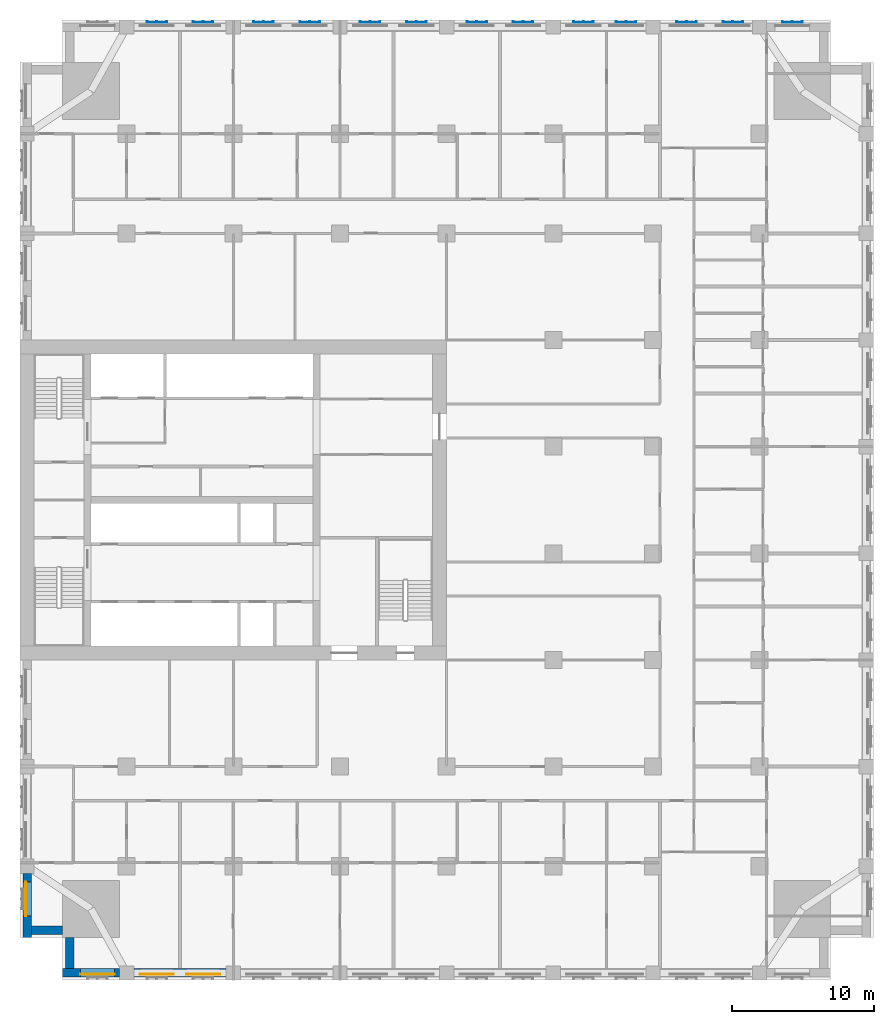
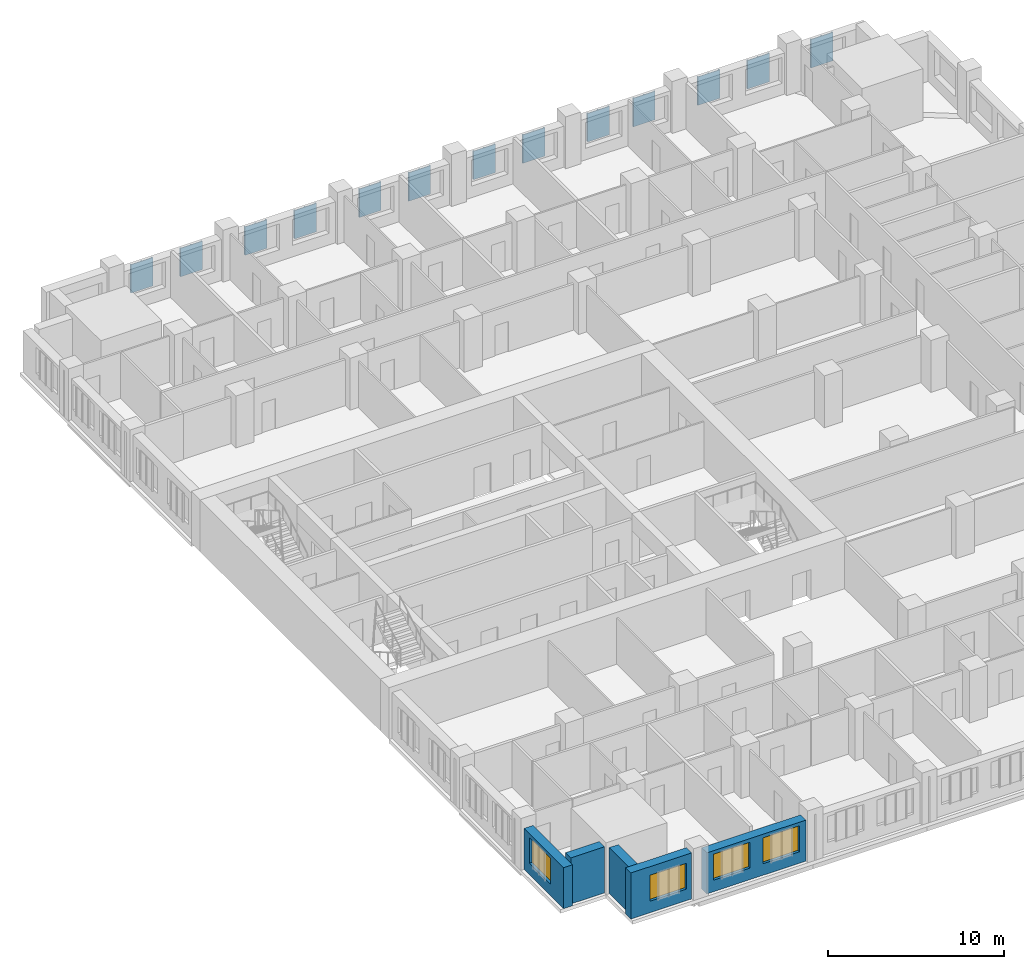
# One storey, part 3 of 14: 13 plates, 5 walls, 4 windows, 4 openings.
"""IFC4 building model written with IfcOpenShell, lengths in metres."""

import ifcopenshell
import ifcopenshell.guid

model = None  # the IFC model being written
_history = None  # IfcOwnerHistory: only IFC2X3 demands one
_inside = {}  # id of a spatial element -> (the spatial element, [elements in it])
_under = {}  # id of a project, library or spatial element -> (it, [spatial elements below it])
_declared = {}  # id of a project -> (the project, [libraries it declares])
_typed = {}  # id of a type object -> (the type object, [elements of that type])
_made_of = {}  # id of a material, layer set ... -> (it, [elements and type objects made of it])


def new_model(schema):
    """Start an empty IFC model of exactly this schema.

    Asked for "IFC4X3", IfcOpenShell would pick the latest addendum, in which some entities
    have other attributes; the version numbers below select the first issue.
    IFC2X3 requires an IfcOwnerHistory on every rooted entity: one is made here for all.
    """
    global model, _history
    if schema == "IFC4X3":
        model = ifcopenshell.file(schema_version=(4, 3, 0, 0))
    else:
        model = ifcopenshell.file(schema=schema)
    _inside.clear()
    _under.clear()
    _declared.clear()
    _typed.clear()
    _made_of.clear()
    _history = None
    if model.schema == "IFC2X3":
        org = make("IfcOrganization", Name="unknown")
        user = make(
            "IfcPersonAndOrganization",
            ThePerson=make("IfcPerson", FamilyName="unknown"),
            TheOrganization=org,
        )
        app = make(
            "IfcApplication",
            ApplicationDeveloper=org,
            Version="unknown",
            ApplicationFullName="unknown",
            ApplicationIdentifier="unknown",
        )
        _history = make(
            "IfcOwnerHistory",
            OwningUser=user,
            OwningApplication=app,
            ChangeAction="ADDED",
            CreationDate=0,
        )
    return model


def make(cls, **values):
    """One entity of the class cls with the attributes given. An attribute that is None is left unset."""
    return model.create_entity(
        cls, **{name: value for name, value in values.items() if value is not None}
    )


def rooted(cls, **values):
    """An entity with a GlobalId (a new one), such as an element, a storey or a relation."""
    return make(cls, GlobalId=ifcopenshell.guid.new(), OwnerHistory=_history, **values)


def si_unit(unit_type, name, prefix=None):
    """IfcSIUnit, for example si_unit("LENGTHUNIT", "METRE", prefix="MILLI")."""
    return make("IfcSIUnit", UnitType=unit_type, Prefix=prefix, Name=name)


def assignment(units):
    """IfcUnitAssignment: the units of a project."""
    return None if units is None else make("IfcUnitAssignment", Units=units)


def point(xyz):
    """IfcCartesianPoint."""
    return None if xyz is None else make("IfcCartesianPoint", Coordinates=xyz)


def direction(xyz):
    """IfcDirection."""
    return None if xyz is None else make("IfcDirection", DirectionRatios=xyz)


def frame(location, z_axis=None, x_axis=None):
    """IfcAxis2Placement3D, a coordinate frame: its origin and axes. An axis left out is left unset."""
    return make(
        "IfcAxis2Placement3D",
        Location=point(location),
        Axis=direction(z_axis),
        RefDirection=direction(x_axis),
    )


def frame_2d(location, x_axis=None):
    """IfcAxis2Placement2D, a coordinate frame in the plane: its origin and x axis."""
    return make(
        "IfcAxis2Placement2D", Location=point(location), RefDirection=direction(x_axis)
    )


def origin():
    """The frame at (0, 0, 0) with its axes left unset."""
    return frame((0.0, 0.0, 0.0))


def place(relative_to, where):
    """IfcLocalPlacement: puts the frame where relative to a parent placement (None: the world)."""
    return make(
        "IfcLocalPlacement", PlacementRelTo=relative_to, RelativePlacement=where
    )


def context(
    kind, dimensions, precision=None, world=None, true_north=None, identifier=None
):
    """IfcGeometricRepresentationContext, for example the 3D "Model" context."""
    return make(
        "IfcGeometricRepresentationContext",
        ContextIdentifier=identifier,
        ContextType=kind,
        CoordinateSpaceDimension=dimensions,
        Precision=precision,
        WorldCoordinateSystem=world,
        TrueNorth=true_north,
    )


def subcontext(parent, identifier, kind, view, scale=None):
    """IfcGeometricRepresentationSubContext, for example "Body" below "Model"."""
    return make(
        "IfcGeometricRepresentationSubContext",
        ContextIdentifier=identifier,
        ContextType=kind,
        ParentContext=parent,
        TargetScale=scale,
        TargetView=view,
    )


def project(units=None, contexts=None):
    """IfcProject with its units and contexts."""
    return rooted(
        "IfcProject",
        Name="project",
        RepresentationContexts=contexts,
        UnitsInContext=assignment(units),
    )


def spatial(cls, under=None, at=None, **own):
    """A site, building, storey or space (cls), placed at a placement, below another one or the project."""
    s = rooted(cls, ObjectPlacement=at, **own)
    if under is not None:
        _under.setdefault(under.id(), (under, []))[1].append(s)
    return s


def polyline(points):
    """IfcPolyline through the points."""
    return make("IfcPolyline", Points=[point(p) for p in points])


def profile(cls, at=None, kind="AREA", **sizes):
    """A parametric profile (cls). Its sizes go by their IFC names, for example OverallWidth=200.0."""
    return make(cls, ProfileType=kind, Position=at, **sizes)


def rectangle(**sizes):
    """IfcRectangleProfileDef."""
    return profile("IfcRectangleProfileDef", **sizes)


def outline(outer, holes=None, kind="AREA"):
    """IfcArbitraryClosedProfileDef: a profile drawn as a closed curve; with holes, ...WithVoids."""
    if holes is None:
        return make("IfcArbitraryClosedProfileDef", ProfileType=kind, OuterCurve=outer)
    return make(
        "IfcArbitraryProfileDefWithVoids",
        ProfileType=kind,
        OuterCurve=outer,
        InnerCurves=holes,
    )


def extrude(swept, where, along, depth):
    """IfcExtrudedAreaSolid: the profile swept, set in the frame where, extruded along a direction by depth."""
    return make(
        "IfcExtrudedAreaSolid",
        SweptArea=swept,
        Position=where,
        ExtrudedDirection=direction(along),
        Depth=depth,
    )


def shape(context_of_items, identifier, shape_type, items):
    """IfcShapeRepresentation: the items that make up one representation, for example the "Body"."""
    return make(
        "IfcShapeRepresentation",
        ContextOfItems=context_of_items,
        RepresentationIdentifier=identifier,
        RepresentationType=shape_type,
        Items=items,
    )


def material(Name=None, Category=None):
    """IfcMaterial."""
    return make("IfcMaterial", Name=Name, Category=Category)


def layer(
    of_material, thickness, ventilated=None, Name=None, Category=None, Priority=None
):
    """IfcMaterialLayer: one layer of a wall or slab, of a material (None: an air gap)."""
    return make(
        "IfcMaterialLayer",
        Material=of_material,
        LayerThickness=thickness,
        IsVentilated=ventilated,
        Name=Name,
        Category=Category,
        Priority=Priority,
    )


def layer_set(layers, Name=None):
    """IfcMaterialLayerSet."""
    return make("IfcMaterialLayerSet", MaterialLayers=layers, LayerSetName=Name)


def made_of(thing, what):
    """Note that an element or type object is made of a material, layer set ...; save() writes the relation."""
    if what is not None:
        _made_of.setdefault(what.id(), (what, []))[1].append(thing)
    return thing


def type_object(cls, material=None, **own):
    """A type object (cls), such as IfcWallType, which elements share."""
    return made_of(rooted(cls, **own), material)


def element(
    cls,
    number,
    at=None,
    inside=None,
    cuts=None,
    type_object=None,
    material=None,
    context=None,
    identifier="Body",
    shape_type=None,
    held_by="IfcProductDefinitionShape",
    body=None,
    shapes=None,
    **own,
):
    """One element of the class cls, such as IfcWall. Its Tag is "e" and its number.

    at: its placement. inside: the storey or other place that contains it. cuts: it is an
    opening in that element (IfcRelVoidsElement). A single representation is given by context,
    identifier, shape_type and body (its items); several are given by shapes. held_by: the class
    of the entity that holds the representations. save() writes the other relations.
    """
    e = rooted(cls, Tag="e%d" % number, ObjectPlacement=at, **own)
    if body is not None:
        shapes = [shape(context, identifier, shape_type, body)]
    if shapes is not None:
        e.Representation = make(held_by, Representations=shapes)
    if inside is not None:
        _inside.setdefault(inside.id(), (inside, []))[1].append(e)
    if cuts is not None:
        rooted(
            "IfcRelVoidsElement", RelatingBuildingElement=cuts, RelatedOpeningElement=e
        )
    if type_object is not None:
        _typed.setdefault(type_object.id(), (type_object, []))[1].append(e)
    return made_of(e, material)


def fill(opening, filler):
    """IfcRelFillsElement: the door or window that sits in an opening."""
    return rooted(
        "IfcRelFillsElement",
        RelatingOpeningElement=opening,
        RelatedBuildingElement=filler,
    )


def aggregate(whole, parts):
    """IfcRelAggregates: a whole, such as a stair, and the parts it consists of."""
    return rooted("IfcRelAggregates", RelatingObject=whole, RelatedObjects=parts)


def save(model, path):
    """Write the relations noted so far, then the file.

    IfcRelAggregates (storeys below a building ...), IfcRelContainedInSpatialStructure (elements
    in a storey), IfcRelDefinesByType, IfcRelAssociatesMaterial and IfcRelDeclares: one each for
    every whole, place, type object, material and project.
    """
    for whole, parts in _under.values():
        aggregate(whole, parts)
    for where, things in _inside.values():
        rooted(
            "IfcRelContainedInSpatialStructure",
            RelatedElements=things,
            RelatingStructure=where,
        )
    for kind, things in _typed.values():
        rooted("IfcRelDefinesByType", RelatedObjects=things, RelatingType=kind)
    for what, things in _made_of.values():
        rooted("IfcRelAssociatesMaterial", RelatedObjects=things, RelatingMaterial=what)
    for by, libraries in _declared.values():
        rooted("IfcRelDeclares", RelatingContext=by, RelatedDefinitions=libraries)
    model.write(path)


model = new_model("IFC4")

# Units and contexts
model_context = context("Model", 3, precision=1e-05, world=origin(), true_north=direction((0.0, 1.0)))
body_context = subcontext(model_context, "Body", "Model", "MODEL_VIEW")
ifc_project = project(units=[si_unit("LENGTHUNIT", "METRE"), si_unit("AREAUNIT", "SQUARE_METRE"), si_unit("VOLUMEUNIT", "CUBIC_METRE"), si_unit("PLANEANGLEUNIT", "RADIAN"), si_unit("MASSUNIT", "GRAM", prefix="KILO")], contexts=[model_context])

# Site, building, storey
site_placement = place(None, origin())
site = spatial("IfcSite", under=ifc_project, at=site_placement, CompositionType="ELEMENT")
building_placement = place(site_placement, origin())
building = spatial("IfcBuilding", under=site, at=building_placement, Name="Tamorin Gate", CompositionType="ELEMENT")
storey_placement = place(building_placement, frame((0.0, 0.0, 70.0)))
storey = spatial("IfcBuildingStorey", under=building, at=storey_placement, Name="L16", CompositionType="ELEMENT", Elevation=70.0)

# Plates
ifc_material_1 = material(Name="Perforated pale aluminium sheet", Category="aluminium")
ifc_layer_1 = layer(ifc_material_1, 0.0400390625)
ifc_layer_set_1 = layer_set([ifc_layer_1], Name="Pale metal solar screen 1440")
plate_type = type_object("IfcPlateType", Name="Pale metal solar screen 1440", PredefinedType="SHEET", material=ifc_layer_set_1)
plate_1_placement = place(storey_placement, frame((0.0, 0.0, 0.7099609375)))
element("IfcPlate", 1, at=plate_1_placement, inside=storey, type_object=plate_type, Name="Perforated solar screen", PredefinedType="SHEET", context=body_context, shape_type="SweptSolid", body=[
    extrude(outline(polyline([(85.02001953125, 104.840087890625), (85.02001953125, 104.800048828125), (84.9599609375, 104.800048828125), (84.330078125, 104.800048828125), (84.27001953125, 104.800048828125), (83.639892578125, 104.800048828125), (83.580078125, 104.800048828125), (83.580078125, 104.840087890625), (83.580078125, 104.89990234375), (83.639892578125, 104.89990234375), (83.639892578125, 104.840087890625), (84.27001953125, 104.840087890625), (84.27001953125, 104.89990234375), (84.330078125, 104.89990234375), (84.330078125, 104.840087890625), (84.9599609375, 104.840087890625), (84.9599609375, 104.89990234375), (85.02001953125, 104.89990234375), (85.02001953125, 104.840087890625)])), origin(), (0.0, 0.0, 1.0), 1.97998046875),
])
plate_2_placement = place(storey_placement, frame((0.0, 0.0, 0.7099609375)))
element("IfcPlate", 2, at=plate_2_placement, inside=storey, type_object=plate_type, Name="Perforated solar screen", PredefinedType="SHEET", context=body_context, shape_type="SweptSolid", body=[
    extrude(outline(polyline([(77.594970703125, 104.840087890625), (77.594970703125, 104.800048828125), (77.534912109375, 104.800048828125), (76.905029296875, 104.800048828125), (76.844970703125, 104.800048828125), (76.215087890625, 104.800048828125), (76.155029296875, 104.800048828125), (76.155029296875, 104.840087890625), (76.155029296875, 104.89990234375), (76.215087890625, 104.89990234375), (76.215087890625, 104.840087890625), (76.844970703125, 104.840087890625), (76.844970703125, 104.89990234375), (76.905029296875, 104.89990234375), (76.905029296875, 104.840087890625), (77.534912109375, 104.840087890625), (77.534912109375, 104.89990234375), (77.594970703125, 104.89990234375), (77.594970703125, 104.840087890625)])), origin(), (0.0, 0.0, 1.0), 1.97998046875),
])
plate_3_placement = place(storey_placement, frame((0.0, 0.0, 0.7099609375)))
element("IfcPlate", 3, at=plate_3_placement, inside=storey, type_object=plate_type, Name="Perforated solar screen", PredefinedType="SHEET", context=body_context, shape_type="SweptSolid", body=[
    extrude(outline(polyline([(80.844970703125, 104.840087890625), (80.844970703125, 104.800048828125), (80.784912109375, 104.800048828125), (80.155029296875, 104.800048828125), (80.094970703125, 104.800048828125), (79.465087890625, 104.800048828125), (79.405029296875, 104.800048828125), (79.405029296875, 104.800048828125), (79.405029296875, 104.840087890625), (79.405029296875, 104.840087890625), (79.405029296875, 104.89990234375), (79.465087890625, 104.89990234375), (79.465087890625, 104.840087890625), (80.094970703125, 104.840087890625), (80.094970703125, 104.89990234375), (80.155029296875, 104.89990234375), (80.155029296875, 104.840087890625), (80.784912109375, 104.840087890625), (80.784912109375, 104.89990234375), (80.844970703125, 104.89990234375), (80.844970703125, 104.840087890625)])), origin(), (0.0, 0.0, 1.0), 1.97998046875),
])
plate_4_placement = place(storey_placement, frame((0.0, 0.0, 0.7099609375)))
element("IfcPlate", 4, at=plate_4_placement, inside=storey, type_object=plate_type, Name="Perforated solar screen", PredefinedType="SHEET", context=body_context, shape_type="SweptSolid", body=[
    extrude(outline(polyline([(70.344970703125, 104.840087890625), (70.344970703125, 104.800048828125), (70.284912109375, 104.800048828125), (69.655029296875, 104.800048828125), (69.594970703125, 104.800048828125), (68.965087890625, 104.800048828125), (68.905029296875, 104.800048828125), (68.905029296875, 104.840087890625), (68.905029296875, 104.89990234375), (68.965087890625, 104.89990234375), (68.965087890625, 104.840087890625), (69.594970703125, 104.840087890625), (69.594970703125, 104.89990234375), (69.655029296875, 104.89990234375), (69.655029296875, 104.840087890625), (70.284912109375, 104.840087890625), (70.284912109375, 104.89990234375), (70.344970703125, 104.89990234375), (70.344970703125, 104.840087890625)])), origin(), (0.0, 0.0, 1.0), 1.97998046875),
])
plate_5_placement = place(storey_placement, frame((0.0, 0.0, 0.7099609375)))
element("IfcPlate", 5, at=plate_5_placement, inside=storey, type_object=plate_type, Name="Perforated solar screen", PredefinedType="SHEET", context=body_context, shape_type="SweptSolid", body=[
    extrude(outline(polyline([(73.344970703125, 104.840087890625), (73.344970703125, 104.800048828125), (73.284912109375, 104.800048828125), (72.655029296875, 104.800048828125), (72.594970703125, 104.800048828125), (71.965087890625, 104.800048828125), (71.905029296875, 104.800048828125), (71.905029296875, 104.840087890625), (71.905029296875, 104.89990234375), (71.965087890625, 104.89990234375), (71.965087890625, 104.840087890625), (72.594970703125, 104.840087890625), (72.594970703125, 104.89990234375), (72.655029296875, 104.89990234375), (72.655029296875, 104.840087890625), (73.284912109375, 104.840087890625), (73.284912109375, 104.89990234375), (73.344970703125, 104.89990234375), (73.344970703125, 104.840087890625)])), origin(), (0.0, 0.0, 1.0), 1.97998046875),
])
plate_6_placement = place(storey_placement, frame((0.0, 0.0, 0.7099609375)))
element("IfcPlate", 6, at=plate_6_placement, inside=storey, type_object=plate_type, Name="Perforated solar screen", PredefinedType="SHEET", context=body_context, shape_type="SweptSolid", body=[
    extrude(outline(polyline([(62.844970703125, 104.840087890625), (62.844970703125, 104.800048828125), (62.784912109375, 104.800048828125), (62.155029296875, 104.800048828125), (62.094970703125, 104.800048828125), (61.465087890625, 104.800048828125), (61.405029296875, 104.800048828125), (61.405029296875, 104.840087890625), (61.405029296875, 104.89990234375), (61.465087890625, 104.89990234375), (61.465087890625, 104.840087890625), (62.094970703125, 104.840087890625), (62.094970703125, 104.89990234375), (62.155029296875, 104.89990234375), (62.155029296875, 104.840087890625), (62.784912109375, 104.840087890625), (62.784912109375, 104.89990234375), (62.844970703125, 104.89990234375), (62.844970703125, 104.840087890625)])), origin(), (0.0, 0.0, 1.0), 1.97998046875),
])
plate_7_placement = place(storey_placement, frame((0.0, 0.0, 0.7099609375)))
element("IfcPlate", 7, at=plate_7_placement, inside=storey, type_object=plate_type, Name="Perforated solar screen", PredefinedType="SHEET", context=body_context, shape_type="SweptSolid", body=[
    extrude(outline(polyline([(66.094970703125, 104.840087890625), (66.094970703125, 104.800048828125), (66.034912109375, 104.800048828125), (65.405029296875, 104.800048828125), (65.344970703125, 104.800048828125), (64.715087890625, 104.800048828125), (64.655029296875, 104.800048828125), (64.655029296875, 104.840087890625), (64.655029296875, 104.89990234375), (64.715087890625, 104.89990234375), (64.715087890625, 104.840087890625), (65.344970703125, 104.840087890625), (65.344970703125, 104.89990234375), (65.405029296875, 104.89990234375), (65.405029296875, 104.840087890625), (66.034912109375, 104.840087890625), (66.034912109375, 104.89990234375), (66.094970703125, 104.89990234375), (66.094970703125, 104.840087890625)])), origin(), (0.0, 0.0, 1.0), 1.97998046875),
])
plate_8_placement = place(storey_placement, frame((0.0, 0.0, 0.7099609375)))
element("IfcPlate", 8, at=plate_8_placement, inside=storey, type_object=plate_type, Name="Perforated solar screen", PredefinedType="SHEET", context=body_context, shape_type="SweptSolid", body=[
    extrude(outline(polyline([(55.344970703125, 104.840087890625), (55.344970703125, 104.800048828125), (55.284912109375, 104.800048828125), (54.655029296875, 104.800048828125), (54.594970703125, 104.800048828125), (53.965087890625, 104.800048828125), (53.905029296875, 104.800048828125), (53.905029296875, 104.840087890625), (53.905029296875, 104.89990234375), (53.965087890625, 104.89990234375), (53.965087890625, 104.840087890625), (54.594970703125, 104.840087890625), (54.594970703125, 104.89990234375), (54.655029296875, 104.89990234375), (54.655029296875, 104.840087890625), (55.284912109375, 104.840087890625), (55.284912109375, 104.89990234375), (55.344970703125, 104.89990234375), (55.344970703125, 104.840087890625)])), origin(), (0.0, 0.0, 1.0), 1.97998046875),
])
plate_9_placement = place(storey_placement, frame((0.0, 0.0, 0.7099609375)))
element("IfcPlate", 9, at=plate_9_placement, inside=storey, type_object=plate_type, Name="Perforated solar screen", PredefinedType="SHEET", context=body_context, shape_type="SweptSolid", body=[
    extrude(outline(polyline([(58.594970703125, 104.840087890625), (58.594970703125, 104.800048828125), (58.534912109375, 104.800048828125), (57.905029296875, 104.800048828125), (57.844970703125, 104.800048828125), (57.215087890625, 104.800048828125), (57.155029296875, 104.800048828125), (57.155029296875, 104.840087890625), (57.155029296875, 104.89990234375), (57.215087890625, 104.89990234375), (57.215087890625, 104.840087890625), (57.844970703125, 104.840087890625), (57.844970703125, 104.89990234375), (57.905029296875, 104.89990234375), (57.905029296875, 104.840087890625), (58.534912109375, 104.840087890625), (58.534912109375, 104.89990234375), (58.594970703125, 104.89990234375), (58.594970703125, 104.840087890625)])), origin(), (0.0, 0.0, 1.0), 1.97998046875),
])
plate_10_placement = place(storey_placement, frame((0.0, 0.0, 0.7099609375)))
element("IfcPlate", 10, at=plate_10_placement, inside=storey, type_object=plate_type, Name="Perforated solar screen", PredefinedType="SHEET", context=body_context, shape_type="SweptSolid", body=[
    extrude(outline(polyline([(47.844970703125, 104.840087890625), (47.844970703125, 104.800048828125), (47.784912109375, 104.800048828125), (47.155029296875, 104.800048828125), (47.094970703125, 104.800048828125), (46.465087890625, 104.800048828125), (46.405029296875, 104.800048828125), (46.405029296875, 104.840087890625), (46.405029296875, 104.89990234375), (46.465087890625, 104.89990234375), (46.465087890625, 104.840087890625), (47.094970703125, 104.840087890625), (47.094970703125, 104.89990234375), (47.155029296875, 104.89990234375), (47.155029296875, 104.840087890625), (47.784912109375, 104.840087890625), (47.784912109375, 104.89990234375), (47.844970703125, 104.89990234375), (47.844970703125, 104.840087890625)])), origin(), (0.0, 0.0, 1.0), 1.97998046875),
])
plate_11_placement = place(storey_placement, frame((0.0, 0.0, 0.7099609375)))
element("IfcPlate", 11, at=plate_11_placement, inside=storey, type_object=plate_type, Name="Perforated solar screen", PredefinedType="SHEET", context=body_context, shape_type="SweptSolid", body=[
    extrude(outline(polyline([(51.094970703125, 104.840087890625), (51.094970703125, 104.800048828125), (51.034912109375, 104.800048828125), (50.405029296875, 104.800048828125), (50.344970703125, 104.800048828125), (49.715087890625, 104.800048828125), (49.655029296875, 104.800048828125), (49.655029296875, 104.840087890625), (49.655029296875, 104.89990234375), (49.715087890625, 104.89990234375), (49.715087890625, 104.840087890625), (50.344970703125, 104.840087890625), (50.344970703125, 104.89990234375), (50.405029296875, 104.89990234375), (50.405029296875, 104.840087890625), (51.034912109375, 104.840087890625), (51.034912109375, 104.89990234375), (51.094970703125, 104.89990234375), (51.094970703125, 104.840087890625)])), origin(), (0.0, 0.0, 1.0), 1.97998046875),
])
plate_12_placement = place(storey_placement, frame((0.0, 0.0, 0.7099609375)))
element("IfcPlate", 12, at=plate_12_placement, inside=storey, type_object=plate_type, Name="Perforated solar screen", PredefinedType="SHEET", context=body_context, shape_type="SweptSolid", body=[
    extrude(outline(polyline([(40.344970703125, 104.840087890625), (40.344970703125, 104.800048828125), (40.284912109375, 104.800048828125), (39.655029296875, 104.800048828125), (39.594970703125, 104.800048828125), (38.965087890625, 104.800048828125), (38.905029296875, 104.800048828125), (38.905029296875, 104.840087890625), (38.905029296875, 104.89990234375), (38.965087890625, 104.89990234375), (38.965087890625, 104.840087890625), (39.594970703125, 104.840087890625), (39.594970703125, 104.89990234375), (39.655029296875, 104.89990234375), (39.655029296875, 104.840087890625), (40.284912109375, 104.840087890625), (40.284912109375, 104.89990234375), (40.344970703125, 104.89990234375), (40.344970703125, 104.840087890625)])), origin(), (0.0, 0.0, 1.0), 1.97998046875),
])
plate_13_placement = place(storey_placement, frame((0.0, 0.0, 0.7099609375)))
element("IfcPlate", 13, at=plate_13_placement, inside=storey, type_object=plate_type, Name="Perforated solar screen", PredefinedType="SHEET", context=body_context, shape_type="SweptSolid", body=[
    extrude(outline(polyline([(43.594970703125, 104.840087890625), (43.594970703125, 104.800048828125), (43.534912109375, 104.800048828125), (42.905029296875, 104.800048828125), (42.844970703125, 104.800048828125), (42.215087890625, 104.800048828125), (42.155029296875, 104.800048828125), (42.155029296875, 104.840087890625), (42.155029296875, 104.89990234375), (42.215087890625, 104.89990234375), (42.215087890625, 104.840087890625), (42.844970703125, 104.840087890625), (42.844970703125, 104.89990234375), (42.905029296875, 104.89990234375), (42.905029296875, 104.840087890625), (43.534912109375, 104.840087890625), (43.534912109375, 104.89990234375), (43.594970703125, 104.89990234375), (43.594970703125, 104.840087890625)])), origin(), (0.0, 0.0, 1.0), 1.97998046875),
])

# Wall, opening, window
ifc_material_2 = material(Name="Precast concrete C40/50", Category="concrete")
ifc_layer_2 = layer(ifc_material_2, 0.60009765625)
ifc_layer_set_2 = layer_set([ifc_layer_2], Name="Precast concrete C40/50")
wall_type = type_object("IfcWallType", Name="Board-marked concrete facade panel 600", PredefinedType="SOLIDWALL", material=ifc_layer_set_2)
wall_1_placement = place(storey_placement, frame((33.0, 38.0, 0.0), z_axis=(0.0, 0.0, 1.0), x_axis=(1.0, 0.0, 0.0)))
wall_1 = element("IfcWall", 14, at=wall_1_placement, inside=storey, type_object=wall_type, Name="Facade panel", PredefinedType="SOLIDWALL", context=body_context, shape_type="SweptSolid", body=[
    extrude(rectangle(XDim=4.0, YDim=0.60009765625, at=frame_2d((2.0, 0.0))), origin(), (0.0, 0.0, 1.0), 3.199951171875),
])
opening_1_placement = place(wall_1_placement, frame((1.25, 0.0, 0.800048828125)))
opening_1 = element("IfcOpeningElement", 15, at=opening_1_placement, cuts=wall_1, Name="Opening WN1", PredefinedType="OPENING", context=body_context, shape_type="SweptSolid", body=[
    extrude(rectangle(XDim=2.39990234375, YDim=1.800048828125, at=frame_2d((1.199951171875, 0.89990234375))), frame((0.0, 0.31005859375, 0.0), z_axis=(0.0, -1.0, 0.0), x_axis=(1.0, 0.0, 0.0)), (0.0, 0.0, 1.0), 0.6201171875),
])
ifc_material_3 = material(Name="Clear glass in aluminium frame", Category="aluminium")
window_type = type_object("IfcWindowType", Name="Deep-set window 2400x1800", PartitioningType="SINGLE_PANEL", PredefinedType="WINDOW", material=ifc_material_3)
window_1_placement = place(opening_1_placement, origin())
window_1 = element("IfcWindow", 16, at=window_1_placement, inside=storey, type_object=window_type, Name="Deep-set window", OverallHeight=1.800048828125, OverallWidth=2.39990234375, PartitioningType="SINGLE_PANEL", PredefinedType="WINDOW", context=body_context, shape_type="SweptSolid", body=[
    extrude(rectangle(XDim=2.39990234375, YDim=1.800048828125, at=frame_2d((1.199951171875, 0.89990234375))), frame((0.0, -0.070068359375, 0.0), z_axis=(0.0, -1.0, 0.0), x_axis=(1.0, 0.0, 0.0)), (0.0, 0.0, 1.0), 0.06005859375),
])
fill(opening_1, window_1)

# Wall, openings, windows
wall_2_placement = place(storey_placement, frame((38.0, 38.0, 0.0), z_axis=(0.0, 0.0, 1.0), x_axis=(1.0, 0.0, 0.0)))
wall_2 = element("IfcWall", 17, at=wall_2_placement, inside=storey, type_object=wall_type, Name="Facade panel", PredefinedType="SOLIDWALL", context=body_context, shape_type="SweptSolid", body=[
    extrude(rectangle(XDim=6.5, YDim=0.60009765625, at=frame_2d((3.25, 0.0))), origin(), (0.0, 0.0, 1.0), 2.85009765625),
])
opening_2_placement = place(wall_2_placement, frame((0.425048828125, 0.0, 0.800048828125)))
opening_2 = element("IfcOpeningElement", 18, at=opening_2_placement, cuts=wall_2, Name="Opening WN1", PredefinedType="OPENING", context=body_context, shape_type="SweptSolid", body=[
    extrude(rectangle(XDim=2.39990234375, YDim=1.800048828125, at=frame_2d((1.199951171875, 0.89990234375))), frame((0.0, 0.31005859375, 0.0), z_axis=(0.0, -1.0, 0.0), x_axis=(1.0, 0.0, 0.0)), (0.0, 0.0, 1.0), 0.6201171875),
])
opening_3_placement = place(wall_2_placement, frame((3.675048828125, 0.0, 0.800048828125)))
opening_3 = element("IfcOpeningElement", 19, at=opening_3_placement, cuts=wall_2, Name="Opening WN1", PredefinedType="OPENING", context=body_context, shape_type="SweptSolid", body=[
    extrude(rectangle(XDim=2.39990234375, YDim=1.800048828125, at=frame_2d((1.199951171875, 0.89990234375))), frame((0.0, 0.31005859375, 0.0), z_axis=(0.0, -1.0, 0.0), x_axis=(1.0, 0.0, 0.0)), (0.0, 0.0, 1.0), 0.6201171875),
])
window_2_placement = place(opening_2_placement, origin())
window_2 = element("IfcWindow", 20, at=window_2_placement, inside=storey, type_object=window_type, Name="Deep-set window", OverallHeight=1.800048828125, OverallWidth=2.39990234375, PartitioningType="SINGLE_PANEL", PredefinedType="WINDOW", context=body_context, shape_type="SweptSolid", body=[
    extrude(rectangle(XDim=2.39990234375, YDim=1.800048828125, at=frame_2d((1.199951171875, 0.89990234375))), frame((0.0, -0.070068359375, 0.0), z_axis=(0.0, -1.0, 0.0), x_axis=(1.0, 0.0, 0.0)), (0.0, 0.0, 1.0), 0.06005859375),
])
fill(opening_2, window_2)
window_3_placement = place(opening_3_placement, origin())
window_3 = element("IfcWindow", 21, at=window_3_placement, inside=storey, type_object=window_type, Name="Deep-set window", OverallHeight=1.800048828125, OverallWidth=2.39990234375, PartitioningType="SINGLE_PANEL", PredefinedType="WINDOW", context=body_context, shape_type="SweptSolid", body=[
    extrude(rectangle(XDim=2.39990234375, YDim=1.800048828125, at=frame_2d((1.199951171875, 0.89990234375))), frame((0.0, -0.070068359375, 0.0), z_axis=(0.0, -1.0, 0.0), x_axis=(1.0, 0.0, 0.0)), (0.0, 0.0, 1.0), 0.06005859375),
])
fill(opening_3, window_3)

# Wall, opening, window
wall_3_placement = place(storey_placement, frame((30.5, 45.0, 0.0), z_axis=(0.0, 0.0, 1.0), x_axis=(0.0, -1.0, 0.0)))
wall_3 = element("IfcWall", 22, at=wall_3_placement, inside=storey, type_object=wall_type, Name="Facade panel", PredefinedType="SOLIDWALL", context=body_context, shape_type="SweptSolid", body=[
    extrude(rectangle(XDim=4.5, YDim=0.60009765625, at=frame_2d((2.25, 0.0))), origin(), (0.0, 0.0, 1.0), 2.85009765625),
])
opening_4_placement = place(wall_3_placement, frame((0.60009765625, 0.0, 0.800048828125)))
opening_4 = element("IfcOpeningElement", 23, at=opening_4_placement, cuts=wall_3, Name="Opening WN1", PredefinedType="OPENING", context=body_context, shape_type="SweptSolid", body=[
    extrude(rectangle(XDim=2.39990234375, YDim=1.800048828125, at=frame_2d((1.199951171875, 0.89990234375))), frame((0.0, 0.31005859375, 0.0), z_axis=(0.0, -1.0, 0.0), x_axis=(1.0, 0.0, 0.0)), (0.0, 0.0, 1.0), 0.6201171875),
])
window_4_placement = place(opening_4_placement, origin())
window_4 = element("IfcWindow", 24, at=window_4_placement, inside=storey, type_object=window_type, Name="Deep-set window", OverallHeight=1.800048828125, OverallWidth=2.39990234375, PartitioningType="SINGLE_PANEL", PredefinedType="WINDOW", context=body_context, shape_type="SweptSolid", body=[
    extrude(rectangle(XDim=2.39990234375, YDim=1.800048828125, at=frame_2d((1.199951171875, 0.89990234375))), frame((0.0, -0.070068359375, 0.0), z_axis=(0.0, -1.0, 0.0), x_axis=(1.0, 0.0, 0.0)), (0.0, 0.0, 1.0), 0.06005859375),
])
fill(opening_4, window_4)

# Walls
for number, where, z_axis, x_axis, name in (
    (25, (30.800048828125, 41.0, 0.0), (0.0, 0.0, 1.0), (1.0, 0.0, 0.0), "Facade panel"),
    (26, (33.5, 40.5, 0.0), (0.0, 0.0, 1.0), (0.0, -1.0, 0.0), "Facade panel"),
):
    element("IfcWall", number, at=place(storey_placement, frame(where, z_axis=z_axis, x_axis=x_axis)), inside=storey, type_object=wall_type, Name=name, PredefinedType="SOLIDWALL", context=body_context, shape_type="SweptSolid", body=[
        extrude(rectangle(XDim=2.199951171875, YDim=0.60009765625, at=frame_2d((1.10009765625, 0.0))), origin(), (0.0, 0.0, 1.0), 3.199951171875),
    ])

save(model, "model.ifc")
